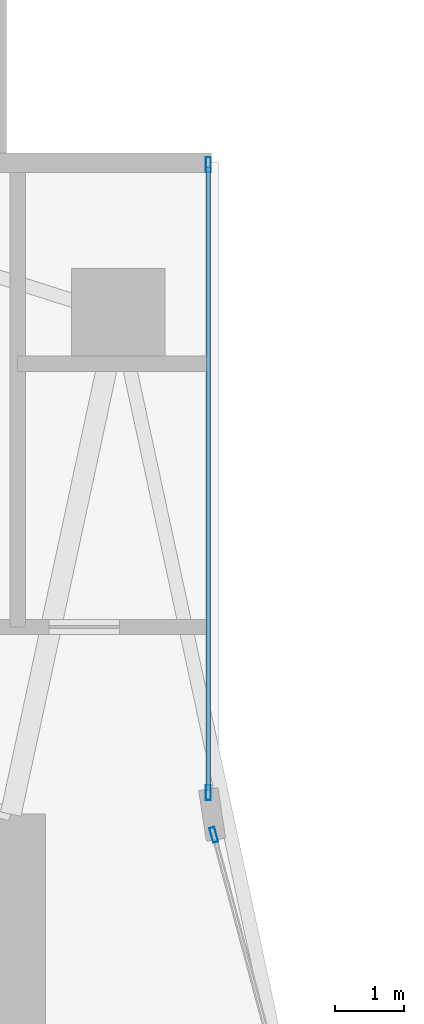
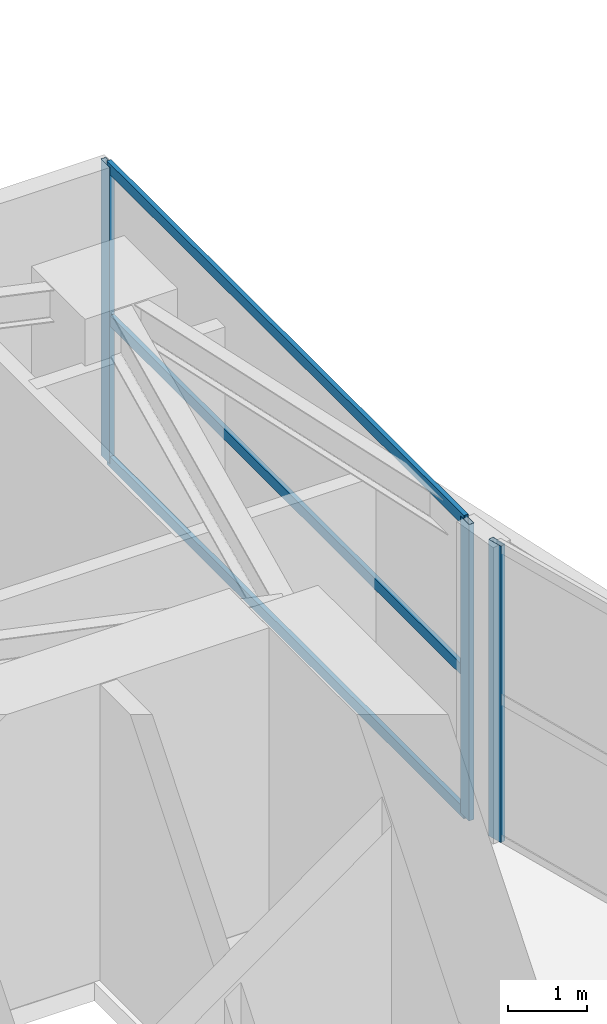
# One storey, part 6 of 18: 6 members, 2 elements without a shape of their own.
"""IFC4 building model written with IfcOpenShell, lengths in metres."""

from ifc_helpers import new_model, si_unit, direction, frame, origin, origin_2d, place, context, subcontext, project, spatial, hollow_rectangle, extrude, material, layer, layer_set, material_profile, profile_set, type_object, element, aggregate, save


model = new_model("IFC4")

# Units and contexts
model_context = context("Model", 3, precision=1e-05, world=origin(), true_north=direction((0.0, 1.0)))
body_context = subcontext(model_context, "Body", "Model", "MODEL_VIEW")
ifc_project = project(units=[si_unit("LENGTHUNIT", "METRE"), si_unit("AREAUNIT", "SQUARE_METRE"), si_unit("VOLUMEUNIT", "CUBIC_METRE"), si_unit("PLANEANGLEUNIT", "RADIAN"), si_unit("MASSUNIT", "GRAM", prefix="KILO")], contexts=[model_context])

# Site, building, storey
site_placement = place(None, origin())
site = spatial("IfcSite", under=ifc_project, at=site_placement, CompositionType="ELEMENT")
building_placement = place(site_placement, origin())
building = spatial("IfcBuilding", under=site, at=building_placement, Name="Calvorn Quay Hotel", CompositionType="ELEMENT")
storey_placement = place(building_placement, frame((0.0, 0.0, 46.0)))
storey = spatial("IfcBuildingStorey", under=building, at=storey_placement, Name="L10", CompositionType="ELEMENT", Elevation=46.0)

# Curtain wall, member
ifc_material_1 = material(Name="Pale Anodised Aluminium and Low-E Glass", Category="aluminium")
ifc_layer = layer(ifc_material_1, 0.219970703125)
ifc_layer_set = layer_set([ifc_layer], Name="CW-SYS-Z1")
curtain_wall_type = type_object("IfcCurtainWallType", Name="CW-SYS-Z1", PredefinedType="NOTDEFINED", material=ifc_layer_set)
curtain_wall_1_placement = place(storey_placement, origin())
curtain_wall_1 = element("IfcCurtainWall", 1, at=curtain_wall_1_placement, inside=storey, type_object=curtain_wall_type, Name="Inner Court Curtain Wall L10-IC1", PredefinedType="NOTDEFINED")
ifc_material_2 = material(Name="Pale Anodised Aluminium 6063-T6", Category="aluminium")
ifc_material_profile_1 = material_profile(ifc_material_2, hollow_rectangle(XDim=0.074951171875, YDim=0.219970703125, WallThickness=0.00439453125, at=origin_2d()), Name="ALU-M220x75x4.5")
ifc_profile_set_1 = profile_set([ifc_material_profile_1], Name="Pale Anodised Aluminium 6063-T6")
member_type_1 = type_object("IfcMemberType", Name="CW-SYS-Z1-MUL", PredefinedType="MULLION", material=ifc_profile_set_1)
member_1_placement = place(storey_placement, frame((17.9296875, 38.10107421875, 0.0), z_axis=(0.0, 0.0, 1.0), x_axis=(-0.96593652056, -0.25877913024, 0.0)))
member_1 = element("IfcMember", 2, at=member_1_placement, type_object=member_type_1, Name="CW-L10-IC1 mullion 2", PredefinedType="MULLION", context=body_context, shape_type="SweptSolid", body=[
    extrude(hollow_rectangle(XDim=0.074951171875, YDim=0.219970703125, WallThickness=0.00439453125, at=origin_2d()), origin(), (0.0, 0.0, 1.0), 4.56005859375),
])
aggregate(curtain_wall_1, [member_1])

# Curtain wall, members
curtain_wall_2_placement = place(storey_placement, origin())
curtain_wall_2 = element("IfcCurtainWall", 3, at=curtain_wall_2_placement, inside=storey, type_object=curtain_wall_type, Name="Inner Court Curtain Wall L10-IC2", PredefinedType="NOTDEFINED")
member_2_placement = place(storey_placement, frame((17.85009765625, 38.7099609375, 0.0), z_axis=(0.0, 0.0, 1.0), x_axis=(-1.0, 0.0, 0.0)))
member_2 = element("IfcMember", 4, at=member_2_placement, type_object=member_type_1, Name="CW-L10-IC2 mullion 1", PredefinedType="MULLION", context=body_context, shape_type="SweptSolid", body=[
    extrude(hollow_rectangle(XDim=0.074951171875, YDim=0.219970703125, WallThickness=0.00439453125, at=origin_2d()), origin(), (0.0, 0.0, 1.0), 4.56005859375),
])
member_3_placement = place(storey_placement, frame((17.85009765625, 47.77001953125, 0.0), z_axis=(0.0, 0.0, 1.0), x_axis=(-1.0, 0.0, 0.0)))
member_3 = element("IfcMember", 5, at=member_3_placement, type_object=member_type_1, Name="CW-L10-IC2 mullion 2", PredefinedType="MULLION", context=body_context, shape_type="SweptSolid", body=[
    extrude(hollow_rectangle(XDim=0.074951171875, YDim=0.219970703125, WallThickness=0.00439453125, at=origin_2d()), origin(), (0.0, 0.0, 1.0), 4.56005859375),
])
ifc_material_3 = material(Name="Pale Anodised Aluminium 6063-T6", Category="aluminium")
ifc_material_profile_2 = material_profile(ifc_material_3, hollow_rectangle(XDim=0.06494140625, YDim=0.1650390625, WallThickness=0.00341796875, at=origin_2d()), Name="ALU-T165x65x3.5")
ifc_profile_set_2 = profile_set([ifc_material_profile_2], Name="Pale Anodised Aluminium 6063-T6")
member_type_2 = type_object("IfcMemberType", Name="CW-SYS-Z1-TRN", PredefinedType="USERDEFINED", material=ifc_profile_set_2)
member_4_placement = place(storey_placement, frame((17.85009765625, 38.739990234375, 0.030029296875), z_axis=(0.0, 1.0, 0.0), x_axis=(-1.0, 0.0, 0.0)))
member_4 = element("IfcMember", 6, at=member_4_placement, type_object=member_type_2, Name="CW-L10-IC2 transom 1.1", ObjectType="TRANSOM", PredefinedType="USERDEFINED", context=body_context, shape_type="SweptSolid", body=[
    extrude(hollow_rectangle(XDim=0.06494140625, YDim=0.1650390625, WallThickness=0.00341796875, at=origin_2d()), origin(), (0.0, 0.0, 1.0), 9.0),
])
member_5_placement = place(storey_placement, frame((17.85009765625, 38.739990234375, 2.199951171875), z_axis=(0.0, 1.0, 0.0), x_axis=(-1.0, 0.0, 0.0)))
member_5 = element("IfcMember", 7, at=member_5_placement, type_object=member_type_2, Name="CW-L10-IC2 transom 1.2", ObjectType="TRANSOM", PredefinedType="USERDEFINED", context=body_context, shape_type="SweptSolid", body=[
    extrude(hollow_rectangle(XDim=0.06494140625, YDim=0.1650390625, WallThickness=0.00341796875, at=origin_2d()), origin(), (0.0, 0.0, 1.0), 9.0),
])
member_6_placement = place(storey_placement, frame((17.85009765625, 38.739990234375, 4.530029296875), z_axis=(0.0, 1.0, 0.0), x_axis=(-1.0, 0.0, 0.0)))
member_6 = element("IfcMember", 8, at=member_6_placement, type_object=member_type_2, Name="CW-L10-IC2 transom 1.3", ObjectType="TRANSOM", PredefinedType="USERDEFINED", context=body_context, shape_type="SweptSolid", body=[
    extrude(hollow_rectangle(XDim=0.06494140625, YDim=0.1650390625, WallThickness=0.00341796875, at=origin_2d()), origin(), (0.0, 0.0, 1.0), 9.0),
])
aggregate(curtain_wall_2, [member_2, member_3, member_4, member_5, member_6])

save(model, "model.ifc")
